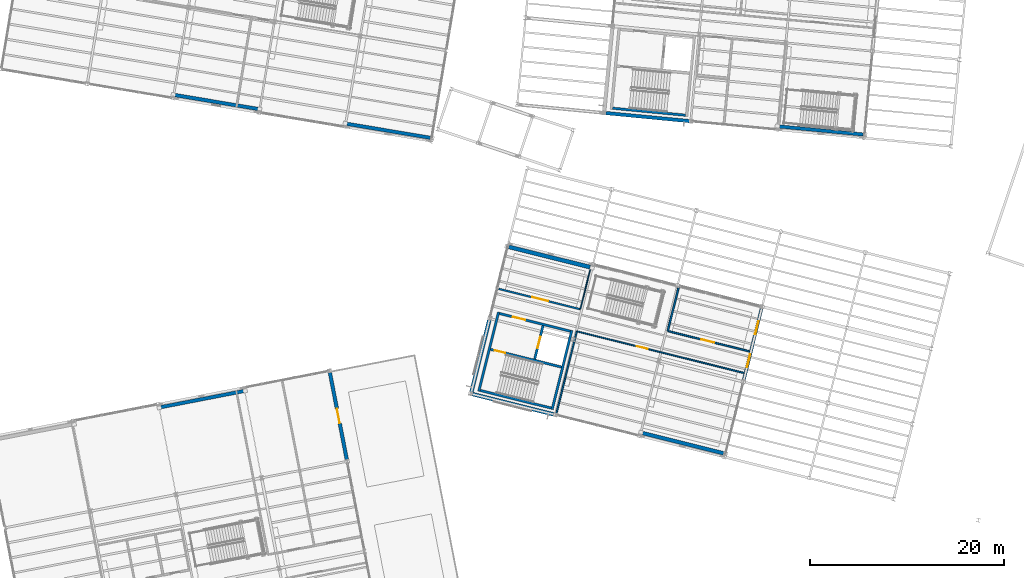
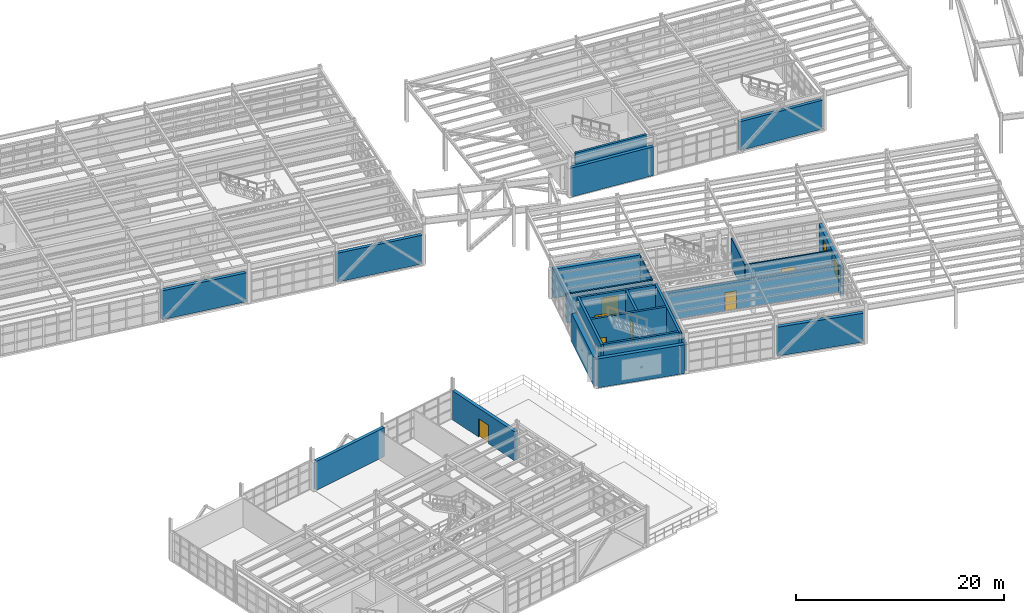
# One storey, part 91 of 109: 24 walls, 7 doors, 2 windows, 9 openings.
"""IFC4 building model written with IfcOpenShell, lengths in metres."""

from ifc_helpers import new_model, si_unit, direction, frame, frame_2d, origin, origin_with_axes, place, context, subcontext, project, spatial, rectangle, extrude, material, layer, layer_set, type_object, element, fill, save


model = new_model("IFC4")

# Units and contexts
model_context = context("Model", 3, precision=1e-05, world=origin(), true_north=direction((0.0, 1.0)))
body_context = subcontext(model_context, "Body", "Model", "MODEL_VIEW")
ifc_project = project(units=[si_unit("LENGTHUNIT", "METRE"), si_unit("AREAUNIT", "SQUARE_METRE"), si_unit("VOLUMEUNIT", "CUBIC_METRE"), si_unit("PLANEANGLEUNIT", "RADIAN"), si_unit("MASSUNIT", "GRAM", prefix="KILO")], contexts=[model_context])

# Site, building, storey
site_placement = place(None, origin())
site = spatial("IfcSite", under=ifc_project, at=site_placement, CompositionType="ELEMENT")
building_placement = place(site_placement, origin())
building = spatial("IfcBuilding", under=site, at=building_placement, Name="Vireo Bluff Cable Station", CompositionType="ELEMENT")
storey_placement = place(building_placement, frame((0.0, 0.0, 4.800048828125)))
storey = spatial("IfcBuildingStorey", under=building, at=storey_placement, Name="L01", CompositionType="ELEMENT", Elevation=4.800048828125)

# Wall, openings, windows
ifc_material_1 = material(Name="Precast concrete f'c 45 MPa", Category="concrete")
ifc_layer_1 = layer(ifc_material_1, 0.330078125, Name="Precast concrete f'c 45 MPa")
ifc_layer_set_1 = layer_set([ifc_layer_1], Name="Precast concrete f'c 45 MPa")
wall_type_1 = type_object("IfcWallType", Name="EW-PRECAST-330", PredefinedType="SOLIDWALL", material=ifc_layer_set_1)
wall_1_placement = place(storey_placement, frame((84.024658203125, 46.816162109375, 0.0), z_axis=(0.0, 0.0, 1.0), x_axis=(-0.241918575924, -0.970296553958, 0.0)))
wall_1 = element("IfcWall", 1, at=wall_1_placement, inside=storey, type_object=wall_type_1, Name="V1 L01 east exterior wall 10", PredefinedType="SOLIDWALL", context=body_context, shape_type="SweptSolid", body=[
    extrude(rectangle(XDim=7.634521484375, YDim=0.330078125, at=frame_2d((3.8173828125, 0.0))), origin(), (0.0, 0.0, 1.0), 3.39990234375),
])
opening_1_placement = place(wall_1_placement, frame((1.38623046875, 0.0, 0.949951171875)))
opening_1 = element("IfcOpeningElement", 2, at=opening_1_placement, cuts=wall_1, Name="Opening W-02", PredefinedType="OPENING", context=body_context, shape_type="SweptSolid", body=[
    extrude(rectangle(XDim=1.35009765625, YDim=1.60009765625, at=frame_2d((0.675048828125, 0.800048828125))), frame((0.0, 0.175048828125, 0.0), z_axis=(0.0, -1.0, 0.0), x_axis=(1.0, 0.0, 0.0)), (0.0, 0.0, 1.0), 0.35009765625),
])
opening_2_placement = place(wall_1_placement, frame((4.898193359375, 0.0, 0.949951171875)))
opening_2 = element("IfcOpeningElement", 3, at=opening_2_placement, cuts=wall_1, Name="Opening W-02", PredefinedType="OPENING", context=body_context, shape_type="SweptSolid", body=[
    extrude(rectangle(XDim=1.35009765625, YDim=1.60009765625, at=frame_2d((0.675048828125, 0.800048828125))), frame((0.0, 0.175048828125, 0.0), z_axis=(0.0, -1.0, 0.0), x_axis=(1.0, 0.0, 0.0)), (0.0, 0.0, 1.0), 0.35009765625),
])
ifc_material_2 = material(Name="Laminated Low-E Insulated Glass", Category="glass")
window_type = type_object("IfcWindowType", Name="WIN-1350X1600", PartitioningType="SINGLE_PANEL", PredefinedType="WINDOW", material=ifc_material_2)
window_1_placement = place(opening_1_placement, origin_with_axes())
window_1 = element("IfcWindow", 4, at=window_1_placement, inside=storey, type_object=window_type, Name="V1 L01 east window 1", OverallHeight=1.60009765625, OverallWidth=1.35009765625, PartitioningType="SINGLE_PANEL", PredefinedType="WINDOW", context=body_context, shape_type="SweptSolid", body=[
    extrude(rectangle(XDim=1.35009765625, YDim=1.60009765625, at=frame_2d((0.675048828125, 0.800048828125))), frame((0.0, 0.030029296875, 0.0), z_axis=(0.0, -1.0, 0.0), x_axis=(1.0, 0.0, 0.0)), (0.0, 0.0, 1.0), 0.06005859375),
])
fill(opening_1, window_1)
window_2_placement = place(opening_2_placement, origin_with_axes())
window_2 = element("IfcWindow", 5, at=window_2_placement, inside=storey, type_object=window_type, Name="V1 L01 east window 2", OverallHeight=1.60009765625, OverallWidth=1.35009765625, PartitioningType="SINGLE_PANEL", PredefinedType="WINDOW", context=body_context, shape_type="SweptSolid", body=[
    extrude(rectangle(XDim=1.35009765625, YDim=1.60009765625, at=frame_2d((0.675048828125, 0.800048828125))), frame((0.0, 0.030029296875, 0.0), z_axis=(0.0, -1.0, 0.0), x_axis=(1.0, 0.0, 0.0)), (0.0, 0.0, 1.0), 0.06005859375),
])
fill(opening_2, window_2)

# Walls
ifc_layer_2 = layer(ifc_material_1, 0.35009765625, Name="Precast concrete f'c 45 MPa")
ifc_layer_set_2 = layer_set([ifc_layer_2], Name="Precast concrete f'c 45 MPa")
wall_type_2 = type_object("IfcWallType", Name="EW-PRECAST-350", PredefinedType="SOLIDWALL", material=ifc_layer_set_2)
wall_2_placement = place(storey_placement, frame((94.516357421875, 64.76708984375, 0.0), z_axis=(0.0, 0.0, 1.0), x_axis=(-0.995397148402, 0.095835885514, 0.0)))
element("IfcWall", 6, at=wall_2_placement, inside=storey, type_object=wall_type_2, Name="V3 L01 south exterior wall 52", PredefinedType="SOLIDWALL", context=body_context, shape_type="SweptSolid", body=[
    extrude(rectangle(XDim=8.740478515625, YDim=0.35009765625, at=frame_2d((4.3701171875, 0.0))), origin(), (0.0, 0.0, 1.0), 3.39990234375),
])
ifc_layer_3 = layer(ifc_material_1, 0.360107421875, Name="Precast concrete f'c 45 MPa")
ifc_layer_set_3 = layer_set([ifc_layer_3], Name="Precast concrete f'c 45 MPa")
wall_type_3 = type_object("IfcWallType", Name="EW-PRECAST-360", PredefinedType="SOLIDWALL", material=ifc_layer_set_3)
wall_3_placement = place(storey_placement, frame((76.566650390625, 66.15380859375, 0.0), z_axis=(0.0, 0.0, 1.0), x_axis=(-0.995397636236, 0.095830818506, 0.0)))
element("IfcWall", 7, at=wall_3_placement, inside=storey, type_object=wall_type_3, Name="V3 L01 south exterior wall 53", PredefinedType="SOLIDWALL", context=body_context, shape_type="SweptSolid", body=[
    extrude(rectangle(XDim=8.682373046875, YDim=0.360107421875, at=frame_2d((4.34130859375, 0.0))), origin(), (0.0, 0.0, 1.0), 3.39990234375),
])
wall_4_placement = place(storey_placement, frame((49.810302734375, 64.4296875, 0.0), z_axis=(0.0, 0.0, 1.0), x_axis=(-0.986283477209, 0.165060299842, 0.0)))
element("IfcWall", 8, at=wall_4_placement, inside=storey, type_object=wall_type_3, Name="V4 L01 south exterior wall 73", PredefinedType="SOLIDWALL", context=body_context, shape_type="SweptSolid", body=[
    extrude(rectangle(XDim=8.739990234375, YDim=0.360107421875, at=frame_2d((4.3701171875, 0.0))), origin(), (0.0, 0.0, 1.0), 3.39990234375),
])
wall_5_placement = place(storey_placement, frame((21.979736328125, 36.61279296875, 0.0), z_axis=(0.0, 0.0, 1.0), x_axis=(0.981625045934, 0.190819991601, 0.0)))
element("IfcWall", 9, at=wall_5_placement, inside=storey, type_object=wall_type_3, Name="V5 L01 north exterior wall 103", PredefinedType="SOLIDWALL", context=body_context, shape_type="SweptSolid", body=[
    extrude(rectangle(XDim=8.68359375, YDim=0.360107421875, at=frame_2d((4.341796875, 0.0))), origin(), (0.0, 0.0, 1.0), 3.39990234375),
])
ifc_layer_4 = layer(ifc_material_1, 0.3701171875, Name="Precast concrete f'c 45 MPa")
ifc_layer_set_4 = layer_set([ifc_layer_4], Name="Precast concrete f'c 45 MPa")
wall_type_4 = type_object("IfcWallType", Name="EW-PRECAST-370", PredefinedType="SOLIDWALL", material=ifc_layer_set_4)
wall_6_placement = place(storey_placement, frame((32.00146484375, 67.409912109375, 0.0), z_axis=(0.0, 0.0, 1.0), x_axis=(-0.986284271158, 0.165055555699, 0.0)))
element("IfcWall", 10, at=wall_6_placement, inside=storey, type_object=wall_type_4, Name="V4 L01 south exterior wall 74", PredefinedType="SOLIDWALL", context=body_context, shape_type="SweptSolid", body=[
    extrude(rectangle(XDim=8.6826171875, YDim=0.3701171875, at=frame_2d((4.34130859375, 0.0))), origin(), (0.0, 0.0, 1.0), 3.39990234375),
])

# Wall, opening, door
wall_7_placement = place(storey_placement, frame((39.43017578125, 40.193359375, 0.0), z_axis=(0.0, 0.0, 1.0), x_axis=(0.190804037715, -0.981628147106, 0.0)))
wall_7 = element("IfcWall", 11, at=wall_7_placement, inside=storey, type_object=wall_type_4, Name="V5 L01 east exterior wall 104", PredefinedType="SOLIDWALL", context=body_context, shape_type="SweptSolid", body=[
    extrude(rectangle(XDim=9.161376953125, YDim=0.3701171875, at=frame_2d((4.58056640625, 0.0))), origin(), (0.0, 0.0, 1.0), 3.39990234375),
])
opening_3_placement = place(wall_7_placement, frame((3.830810546875, 0.0, 0.0)))
opening_3 = element("IfcOpeningElement", 12, at=opening_3_placement, cuts=wall_7, Name="Opening TD-003", PredefinedType="OPENING", context=body_context, shape_type="SweptSolid", body=[
    extrude(rectangle(XDim=1.5, YDim=2.14990234375, at=frame_2d((0.75, 1.074951171875))), frame((0.0, 0.195068359375, 0.0), z_axis=(0.0, -1.0, 0.0), x_axis=(1.0, 0.0, 0.0)), (0.0, 0.0, 1.0), 0.39013671875),
])
ifc_material_3 = material(Name="Anodized Aluminium 6063-T6", Category="aluminium")
door_type_1 = type_object("IfcDoorType", Name="TDOOR-1500X2150", OperationType="NOTDEFINED", PredefinedType="DOOR", material=ifc_material_3)
door_1_placement = place(opening_3_placement, origin_with_axes())
door_1 = element("IfcDoor", 13, at=door_1_placement, inside=storey, type_object=door_type_1, Name="V5 L01 terrace access door TD-003", OperationType="SINGLE_SWING_RIGHT", OverallHeight=2.14990234375, OverallWidth=1.5, PredefinedType="DOOR", context=body_context, shape_type="SweptSolid", body=[
    extrude(rectangle(XDim=1.5, YDim=2.14990234375, at=frame_2d((0.75, 1.074951171875))), frame((0.0, 0.02490234375, 0.0), z_axis=(0.0, -1.0, 0.0), x_axis=(1.0, 0.0, 0.0)), (0.0, 0.0, 1.0), 0.050048828125),
])
fill(opening_3, door_1)

# Walls
ifc_layer_5 = layer(ifc_material_1, 0.389892578125, Name="Precast concrete f'c 45 MPa")
ifc_layer_set_5 = layer_set([ifc_layer_5], Name="Precast concrete f'c 45 MPa")
wall_type_5 = type_object("IfcWallType", Name="EW-PRECAST-390", PredefinedType="SOLIDWALL", material=ifc_layer_set_5)
wall_8_placement = place(storey_placement, frame((80.098876953125, 31.84326171875, 0.0), z_axis=(0.0, 0.0, 1.0), x_axis=(-0.970293812366, 0.241929571744, 0.0)))
element("IfcWall", 14, at=wall_8_placement, inside=storey, type_object=wall_type_5, Name="V1 L01 south exterior wall 6", PredefinedType="SOLIDWALL", context=body_context, shape_type="SweptSolid", body=[
    extrude(rectangle(XDim=8.626220703125, YDim=0.389892578125, at=frame_2d((4.31298828125, 0.0))), origin(), (0.0, 0.0, 1.0), 3.39990234375),
])
ifc_layer_6 = layer(ifc_material_1, 0.39990234375, Name="Precast concrete f'c 45 MPa")
ifc_layer_set_6 = layer_set([ifc_layer_6], Name="Precast concrete f'c 45 MPa")
wall_type_6 = type_object("IfcWallType", Name="EW-PRECAST-400", PredefinedType="SOLIDWALL", material=ifc_layer_set_6)
wall_9_placement = place(storey_placement, frame((62.55126953125, 35.867919921875, 0.0), z_axis=(0.0, 0.0, 1.0), x_axis=(-0.970292831201, 0.241933506815, 0.0)))
element("IfcWall", 15, at=wall_9_placement, inside=storey, type_object=wall_type_6, Name="V1 L01 south exterior wall 7", PredefinedType="SOLIDWALL", context=body_context, shape_type="SweptSolid", body=[
    extrude(rectangle(XDim=8.682373046875, YDim=0.39990234375, at=frame_2d((4.34130859375, 0.0))), origin(), (0.0, 0.0, 1.0), 3.39990234375),
])
ifc_layer_7 = layer(ifc_material_1, 0.409912109375, Name="Precast concrete f'c 45 MPa")
ifc_layer_set_7 = layer_set([ifc_layer_7], Name="Precast concrete f'c 45 MPa")
wall_type_7 = type_object("IfcWallType", Name="EW-PRECAST-410", PredefinedType="SOLIDWALL", material=ifc_layer_set_7)
wall_10_placement = place(storey_placement, frame((54.032470703125, 38.130126953125, 0.0), z_axis=(0.0, 0.0, 1.0), x_axis=(0.241904381579, 0.970300092844, 0.0)))
element("IfcWall", 16, at=wall_10_placement, inside=storey, type_object=wall_type_7, Name="V1 L01 west exterior wall 8", PredefinedType="SOLIDWALL", context=body_context, shape_type="SweptSolid", body=[
    extrude(rectangle(XDim=7.73583984375, YDim=0.409912109375, at=frame_2d((3.867919921875, 0.0))), origin(), (0.0, 0.0, 1.0), 3.39990234375),
])
ifc_layer_8 = layer(ifc_material_1, 0.419921875, Name="Precast concrete f'c 45 MPa")
ifc_layer_set_8 = layer_set([ifc_layer_8], Name="Precast concrete f'c 45 MPa")
wall_type_8 = type_object("IfcWallType", Name="EW-PRECAST-420", PredefinedType="SOLIDWALL", material=ifc_layer_set_8)
wall_11_placement = place(storey_placement, frame((57.889404296875, 53.169677734375, 0.0), z_axis=(0.0, 0.0, 1.0), x_axis=(0.970294020824, -0.24192873569, 0.0)))
element("IfcWall", 17, at=wall_11_placement, inside=storey, type_object=wall_type_8, Name="V1 L01 north exterior wall 9", PredefinedType="SOLIDWALL", context=body_context, shape_type="SweptSolid", body=[
    extrude(rectangle(XDim=8.708984375, YDim=0.419921875, at=frame_2d((4.3544921875, 0.0))), origin(), (0.0, 0.0, 1.0), 3.39990234375),
])
ifc_material_4 = material(Name="Fire-Rated Gypsum Board Partition")
ifc_layer_9 = layer(ifc_material_4, 0.110107421875, Name="Fire-Rated Gypsum Board Partition")
ifc_layer_set_9 = layer_set([ifc_layer_9], Name="Fire-Rated Gypsum Board Partition")
wall_type_9 = type_object("IfcWallType", Name="PT-1HR-110", PredefinedType="PARTITIONING", material=ifc_layer_set_9)
wall_12_placement = place(storey_placement, frame((66.416748046875, 51.21875, 0.0), z_axis=(0.0, 0.0, 1.0), x_axis=(-0.241927625537, -0.970294297624, 0.0)))
element("IfcWall", 18, at=wall_12_placement, inside=storey, type_object=wall_type_9, Name="V1 L01 Ski Patrol Locker Room E partition", PredefinedType="PARTITIONING", context=body_context, shape_type="SweptSolid", body=[
    extrude(rectangle(XDim=4.6298828125, YDim=0.110107421875, at=frame_2d((2.31494140625, 0.0))), origin(), (0.0, 0.0, 1.0), 3.3798828125),
])

# Wall, opening, door
ifc_layer_10 = layer(ifc_material_4, 0.139892578125, Name="Fire-Rated Gypsum Board Partition")
ifc_layer_set_10 = layer_set([ifc_layer_10], Name="Fire-Rated Gypsum Board Partition")
wall_type_10 = type_object("IfcWallType", Name="PT-1HR-140", PredefinedType="PARTITIONING", material=ifc_layer_set_10)
wall_13_placement = place(storey_placement, frame((64.934326171875, 44.4462890625, 0.0), z_axis=(0.0, 0.0, 1.0), x_axis=(0.970293356081, -0.241931401735, 0.0)))
wall_13 = element("IfcWall", 19, at=wall_13_placement, inside=storey, type_object=wall_type_10, Name="V1 L01 Mid-Slope Concourse Hall N partition", PredefinedType="PARTITIONING", context=body_context, shape_type="SweptSolid", body=[
    extrude(rectangle(XDim=17.77978515625, YDim=0.139892578125, at=frame_2d((8.889892578125, 0.0))), origin(), (0.0, 0.0, 1.0), 3.3798828125),
])
opening_4_placement = place(wall_13_placement, frame((6.3779296875, 0.0, 0.0)))
opening_4 = element("IfcOpeningElement", 20, at=opening_4_placement, cuts=wall_13, Name="Opening D-0042", PredefinedType="OPENING", context=body_context, shape_type="SweptSolid", body=[
    extrude(rectangle(XDim=1.14990234375, YDim=2.14990234375, at=frame_2d((0.574951171875, 1.074951171875))), frame((0.0, 0.080078125, 0.0), z_axis=(0.0, -1.0, 0.0), x_axis=(1.0, 0.0, 0.0)), (0.0, 0.0, 1.0), 0.159912109375),
])
door_type_2 = type_object("IfcDoorType", Name="IDOOR60-1150X2150", OperationType="NOTDEFINED", PredefinedType="DOOR", material=ifc_material_3)
door_2_placement = place(opening_4_placement, origin_with_axes())
door_2 = element("IfcDoor", 21, at=door_2_placement, inside=storey, type_object=door_type_2, Name="V1 L01 Mid-Slope Concourse Hall door D-0042", OperationType="SINGLE_SWING_LEFT", OverallHeight=2.14990234375, OverallWidth=1.14990234375, PredefinedType="DOOR", context=body_context, shape_type="SweptSolid", body=[
    extrude(rectangle(XDim=1.14990234375, YDim=2.14990234375, at=frame_2d((0.574951171875, 1.074951171875))), frame((0.0, 0.02490234375, 0.0), z_axis=(0.0, -1.0, 0.0), x_axis=(1.0, 0.0, 0.0)), (0.0, 0.0, 1.0), 0.050048828125),
])
fill(opening_4, door_2)

# Wall
ifc_layer_11 = layer(ifc_material_4, 0.14990234375, Name="Fire-Rated Gypsum Board Partition")
ifc_layer_set_11 = layer_set([ifc_layer_11], Name="Fire-Rated Gypsum Board Partition")
wall_type_11 = type_object("IfcWallType", Name="PT-1HR-150", PredefinedType="PARTITIONING", material=ifc_layer_set_11)
wall_14_placement = place(storey_placement, frame((62.822265625, 35.9755859375, 0.0), z_axis=(0.0, 0.0, 1.0), x_axis=(0.24193020533, 0.97029365439, 0.0)))
element("IfcWall", 22, at=wall_14_placement, inside=storey, type_object=wall_type_11, Name="V1 L01 Mid-Slope Concourse Hall W partition", PredefinedType="PARTITIONING", context=body_context, shape_type="SweptSolid", body=[
    extrude(rectangle(XDim=8.72998046875, YDim=0.14990234375, at=frame_2d((4.364990234375, 0.0))), origin(), (0.0, 0.0, 1.0), 3.3798828125),
])

# Wall, opening, door
ifc_layer_12 = layer(ifc_material_4, 0.1650390625, Name="Fire-Rated Gypsum Board Partition")
ifc_layer_set_12 = layer_set([ifc_layer_12], Name="Fire-Rated Gypsum Board Partition")
wall_type_12 = type_object("IfcWallType", Name="PT-1HR-165", PredefinedType="PARTITIONING", material=ifc_layer_set_12)
wall_15_placement = place(storey_placement, frame((82.74267578125, 42.37646484375, 0.0), z_axis=(0.0, 0.0, 1.0), x_axis=(-0.970297822064, 0.241913489697, 0.0)))
wall_15 = element("IfcWall", 23, at=wall_15_placement, inside=storey, type_object=wall_type_12, Name="V1 L01 Transit Ticketing Kiosk Hall S partition", PredefinedType="PARTITIONING", context=body_context, shape_type="SweptSolid", body=[
    extrude(rectangle(XDim=8.68017578125, YDim=0.1650390625, at=frame_2d((4.340087890625, 0.0))), origin(), (0.0, 0.0, 1.0), 3.3798828125),
])
opening_5_placement = place(wall_15_placement, frame((3.72998046875, 0.0, 0.0)))
opening_5 = element("IfcOpeningElement", 24, at=opening_5_placement, cuts=wall_15, Name="Opening D-0043", PredefinedType="OPENING", context=body_context, shape_type="SweptSolid", body=[
    extrude(rectangle(XDim=1.35009765625, YDim=2.199951171875, at=frame_2d((0.675048828125, 1.10009765625))), frame((0.0, 0.092529296875, 0.0), z_axis=(0.0, -1.0, 0.0), x_axis=(1.0, 0.0, 0.0)), (0.0, 0.0, 1.0), 0.18505859375),
])
door_type_3 = type_object("IfcDoorType", Name="IDOOR60-1350X2200", OperationType="NOTDEFINED", PredefinedType="DOOR", material=ifc_material_3)
door_3_placement = place(opening_5_placement, origin_with_axes())
door_3 = element("IfcDoor", 25, at=door_3_placement, inside=storey, type_object=door_type_3, Name="V1 L01 Transit Ticketing Kiosk Hall door D-0043", OperationType="SINGLE_SWING_RIGHT", OverallHeight=2.199951171875, OverallWidth=1.35009765625, PredefinedType="DOOR", context=body_context, shape_type="SweptSolid", body=[
    extrude(rectangle(XDim=1.35009765625, YDim=2.199951171875, at=frame_2d((0.675048828125, 1.10009765625))), frame((0.0, 0.02490234375, 0.0), z_axis=(0.0, -1.0, 0.0), x_axis=(1.0, 0.0, 0.0)), (0.0, 0.0, 1.0), 0.050048828125),
])
fill(opening_5, door_3)

# Wall
ifc_layer_13 = layer(ifc_material_4, 0.175048828125, Name="Fire-Rated Gypsum Board Partition")
ifc_layer_set_13 = layer_set([ifc_layer_13], Name="Fire-Rated Gypsum Board Partition")
wall_type_13 = type_object("IfcWallType", Name="PT-1HR-175", PredefinedType="PARTITIONING", material=ifc_layer_set_13)
wall_16_placement = place(storey_placement, frame((74.3203125, 44.476318359375, 0.0), z_axis=(0.0, 0.0, 1.0), x_axis=(0.241915248136, 0.970297383651, 0.0)))
element("IfcWall", 26, at=wall_16_placement, inside=storey, type_object=wall_type_13, Name="V1 L01 Transit Ticketing Kiosk Hall W partition", PredefinedType="PARTITIONING", context=body_context, shape_type="SweptSolid", body=[
    extrude(rectangle(XDim=4.630126953125, YDim=0.175048828125, at=frame_2d((2.31494140625, 0.0))), origin(), (0.0, 0.0, 1.0), 3.3798828125),
])

# Wall, opening, door
ifc_layer_14 = layer(ifc_material_4, 0.18994140625, Name="Fire-Rated Gypsum Board Partition")
ifc_layer_set_14 = layer_set([ifc_layer_14], Name="Fire-Rated Gypsum Board Partition")
wall_type_14 = type_object("IfcWallType", Name="PT-1HR-190", PredefinedType="PARTITIONING", material=ifc_layer_set_14)
wall_17_placement = place(storey_placement, frame((65.296630859375, 46.726318359375, 0.0), z_axis=(0.0, 0.0, 1.0), x_axis=(-0.970296175991, 0.241920091883, 0.0)))
wall_17 = element("IfcWall", 27, at=wall_17_placement, inside=storey, type_object=wall_type_14, Name="V1 L01 Ski Patrol Locker Room S partition", PredefinedType="PARTITIONING", context=body_context, shape_type="SweptSolid", body=[
    extrude(rectangle(XDim=8.679931640625, YDim=0.18994140625, at=frame_2d((4.33984375, 0.0))), origin(), (0.0, 0.0, 1.0), 3.3798828125),
])
opening_6_placement = place(wall_17_placement, frame((3.425048828125, 0.0, 0.0)))
opening_6 = element("IfcOpeningElement", 28, at=opening_6_placement, cuts=wall_17, Name="Opening D-0044", PredefinedType="OPENING", context=body_context, shape_type="SweptSolid", body=[
    extrude(rectangle(XDim=1.699951171875, YDim=2.199951171875, at=frame_2d((0.85009765625, 1.10009765625))), frame((0.0, 0.10498046875, 0.0), z_axis=(0.0, -1.0, 0.0), x_axis=(1.0, 0.0, 0.0)), (0.0, 0.0, 1.0), 0.2099609375),
])
door_type_4 = type_object("IfcDoorType", Name="IDOOR60-1700X2200", OperationType="NOTDEFINED", PredefinedType="DOOR", material=ifc_material_3)
door_4_placement = place(opening_6_placement, origin_with_axes())
door_4 = element("IfcDoor", 29, at=door_4_placement, inside=storey, type_object=door_type_4, Name="V1 L01 Ski Patrol Locker Room door D-0044", OperationType="DOUBLE_DOOR_SINGLE_SWING", OverallHeight=2.199951171875, OverallWidth=1.699951171875, PredefinedType="DOOR", context=body_context, shape_type="SweptSolid", body=[
    extrude(rectangle(XDim=1.699951171875, YDim=2.199951171875, at=frame_2d((0.85009765625, 1.10009765625))), frame((0.0, 0.02490234375, 0.0), z_axis=(0.0, -1.0, 0.0), x_axis=(1.0, 0.0, 0.0)), (0.0, 0.0, 1.0), 0.050048828125),
])
fill(opening_6, door_4)

# Walls
ifc_material_5 = material(Name="Concrete f'c 40 MPa", Category="concrete")
ifc_layer_15 = layer(ifc_material_5, 0.25, Name="Concrete f'c 40 MPa")
ifc_layer_set_15 = layer_set([ifc_layer_15], Name="Concrete f'c 40 MPa")
wall_type_15 = type_object("IfcWallType", Name="SW-CORE-250", PredefinedType="SHEAR", material=ifc_layer_set_15)
wall_18_placement = place(storey_placement, frame((68.638427734375, 67.48486328125, 0.0), z_axis=(0.0, 0.0, 1.0), x_axis=(0.995396104215, -0.095846730326, 0.0)))
element("IfcWall", 30, at=wall_18_placement, inside=storey, type_object=wall_type_15, Name="CORE-1 L01 stair shaft south shear wall", PredefinedType="SHEAR", context=body_context, shape_type="SweptSolid", body=[
    extrude(rectangle(XDim=7.5498046875, YDim=0.25, at=frame_2d((3.77490234375, 0.0))), origin(), (0.0, 0.0, 1.0), 4.5400390625),
])
for number, where, z_axis, x_axis, name in (
    (31, (54.809814453125, 38.25146484375, 0.0), (0.0, 0.0, 1.0), (0.24193628408, 0.970292138712, 0.0), "CORE-2 L01 core W shear wall"),
    (32, (62.378173828125, 36.364501953125, 0.0), (0.0, 0.0, 1.0), (0.24193628408, 0.970292138712, 0.0), "CORE-2 L01 core E shear wall"),
):
    element("IfcWall", number, at=place(storey_placement, frame(where, z_axis=z_axis, x_axis=x_axis)), inside=storey, type_object=wall_type_15, Name=name, PredefinedType="SHEAR", context=body_context, shape_type="SweptSolid", body=[
        extrude(rectangle(XDim=8.43505859375, YDim=0.25, at=frame_2d((4.217529296875, 0.0))), origin(), (0.0, 0.0, 1.0), 4.5400390625),
    ])
wall_19_placement = place(storey_placement, frame((54.96142578125, 38.342529296875, 0.0), z_axis=(0.0, 0.0, 1.0), x_axis=(0.97029827707, -0.241911664693, 0.0)))
element("IfcWall", 33, at=wall_19_placement, inside=storey, type_object=wall_type_15, Name="CORE-2 L01 stair shaft south shear wall", PredefinedType="SHEAR", context=body_context, shape_type="SweptSolid", body=[
    extrude(rectangle(XDim=7.550048828125, YDim=0.25, at=frame_2d((3.77490234375, 0.0))), origin(), (0.0, 0.0, 1.0), 4.5400390625),
])

# Wall, opening, door
wall_20_placement = place(storey_placement, frame((63.344482421875, 40.75634765625, 0.0), z_axis=(0.0, 0.0, 1.0), x_axis=(-0.970300169372, 0.241904074618, 0.0)))
wall_20 = element("IfcWall", 34, at=wall_20_placement, inside=storey, type_object=wall_type_15, Name="CORE-2 L01 stair shaft north shear wall", PredefinedType="SHEAR", context=body_context, shape_type="SweptSolid", body=[
    extrude(rectangle(XDim=7.550048828125, YDim=0.25, at=frame_2d((3.77490234375, 0.0))), origin(), (0.0, 0.0, 1.0), 4.5400390625),
])
opening_7_placement = place(wall_20_placement, frame((6.0, 0.0, 0.0)))
opening_7 = element("IfcOpeningElement", 35, at=opening_7_placement, cuts=wall_20, Name="Opening SD-009", PredefinedType="OPENING", context=body_context, shape_type="SweptSolid", body=[
    extrude(rectangle(XDim=1.10009765625, YDim=2.14990234375, at=frame_2d((0.550048828125, 1.074951171875))), frame((0.0, 0.135009765625, 0.0), z_axis=(0.0, -1.0, 0.0), x_axis=(1.0, 0.0, 0.0)), (0.0, 0.0, 1.0), 0.27001953125),
])
ifc_material_6 = material(Name="Stainless Steel 316", Category="steel")
door_type_5 = type_object("IfcDoorType", Name="IDOOR90-1100X2150", OperationType="NOTDEFINED", PredefinedType="DOOR", material=ifc_material_6)
door_5_placement = place(opening_7_placement, origin_with_axes())
door_5 = element("IfcDoor", 36, at=door_5_placement, inside=storey, type_object=door_type_5, Name="CORE-2 L01 stair fire door SD-009", OperationType="SINGLE_SWING_RIGHT", OverallHeight=2.14990234375, OverallWidth=1.10009765625, PredefinedType="DOOR", context=body_context, shape_type="SweptSolid", body=[
    extrude(rectangle(XDim=1.10009765625, YDim=2.14990234375, at=frame_2d((0.550048828125, 1.074951171875))), frame((0.0, 0.02490234375, 0.0), z_axis=(0.0, -1.0, 0.0), x_axis=(1.0, 0.0, 0.0)), (0.0, 0.0, 1.0), 0.050048828125),
])
fill(opening_7, door_5)

wall_21_placement = place(storey_placement, frame((64.267333984375, 44.4580078125, 0.0), z_axis=(0.0, 0.0, 1.0), x_axis=(-0.97029827707, 0.241911664693, 0.0)))
wall_21 = element("IfcWall", 37, at=wall_21_placement, inside=storey, type_object=wall_type_15, Name="CORE-2 L01 core north shear wall", PredefinedType="SHEAR", context=body_context, shape_type="SweptSolid", body=[
    extrude(rectangle(XDim=7.550048828125, YDim=0.25, at=frame_2d((3.77490234375, 0.0))), origin(), (0.0, 0.0, 1.0), 4.5400390625),
])
opening_8_placement = place(wall_21_placement, frame((4.800048828125, 0.0, 0.0)))
opening_8 = element("IfcOpeningElement", 38, at=opening_8_placement, cuts=wall_21, Name="Opening FD-010", PredefinedType="OPENING", context=body_context, shape_type="SweptSolid", body=[
    extrude(rectangle(XDim=1.300048828125, YDim=2.14990234375, at=frame_2d((0.64990234375, 1.074951171875))), frame((0.0, 0.135009765625, 0.0), z_axis=(0.0, -1.0, 0.0), x_axis=(1.0, 0.0, 0.0)), (0.0, 0.0, 1.0), 0.27001953125),
])
door_type_6 = type_object("IfcDoorType", Name="IDOOR90-1300X2150", OperationType="NOTDEFINED", PredefinedType="DOOR", material=ifc_material_6)
door_6_placement = place(opening_8_placement, origin_with_axes())
door_6 = element("IfcDoor", 39, at=door_6_placement, inside=storey, type_object=door_type_6, Name="CORE-2 L01 firefighting lobby door FD-010", OperationType="SINGLE_SWING_LEFT", OverallHeight=2.14990234375, OverallWidth=1.300048828125, PredefinedType="DOOR", context=body_context, shape_type="SweptSolid", body=[
    extrude(rectangle(XDim=1.300048828125, YDim=2.14990234375, at=frame_2d((0.64990234375, 1.074951171875))), frame((0.0, 0.02490234375, 0.0), z_axis=(0.0, -1.0, 0.0), x_axis=(1.0, 0.0, 0.0)), (0.0, 0.0, 1.0), 0.050048828125),
])
fill(opening_8, door_6)

wall_22_placement = place(storey_placement, frame((60.5849609375, 41.572998046875, 0.0), z_axis=(0.0, 0.0, 1.0), x_axis=(0.241939401498, 0.970291361398, 0.0)))
wall_22 = element("IfcWall", 40, at=wall_22_placement, inside=storey, type_object=wall_type_15, Name="CORE-2 L01 lift shaft front wall", PredefinedType="SHEAR", context=body_context, shape_type="SweptSolid", body=[
    extrude(rectangle(XDim=3.565185546875, YDim=0.25, at=frame_2d((1.78271484375, 0.0))), origin(), (0.0, 0.0, 1.0), 4.5400390625),
])
opening_9_placement = place(wall_22_placement, frame((1.1826171875, 0.0, 0.0)))
opening_9 = element("IfcOpeningElement", 41, at=opening_9_placement, cuts=wall_22, Name="Opening LD-005", PredefinedType="OPENING", context=body_context, shape_type="SweptSolid", body=[
    extrude(rectangle(XDim=1.199951171875, YDim=2.14990234375, at=frame_2d((0.60009765625, 1.074951171875))), frame((0.0, 0.135009765625, 0.0), z_axis=(0.0, -1.0, 0.0), x_axis=(1.0, 0.0, 0.0)), (0.0, 0.0, 1.0), 0.27001953125),
])
door_type_7 = type_object("IfcDoorType", Name="LIFTDOOR-1200X2150", OperationType="DOUBLE_DOOR_SLIDING", PredefinedType="DOOR", material=ifc_material_6)
door_7_placement = place(opening_9_placement, origin_with_axes())
door_7 = element("IfcDoor", 42, at=door_7_placement, inside=storey, type_object=door_type_7, Name="CORE-2 L01 lift sliding landing door LD-005", OperationType="DOUBLE_DOOR_SLIDING", OverallHeight=2.14990234375, OverallWidth=1.199951171875, PredefinedType="DOOR", context=body_context, shape_type="SweptSolid", body=[
    extrude(rectangle(XDim=1.199951171875, YDim=2.14990234375, at=frame_2d((0.60009765625, 1.074951171875))), frame((0.0, 0.02490234375, 0.0), z_axis=(0.0, -1.0, 0.0), x_axis=(1.0, 0.0, 0.0)), (0.0, 0.0, 1.0), 0.050048828125),
])
fill(opening_9, door_7)

save(model, "model.ifc")
